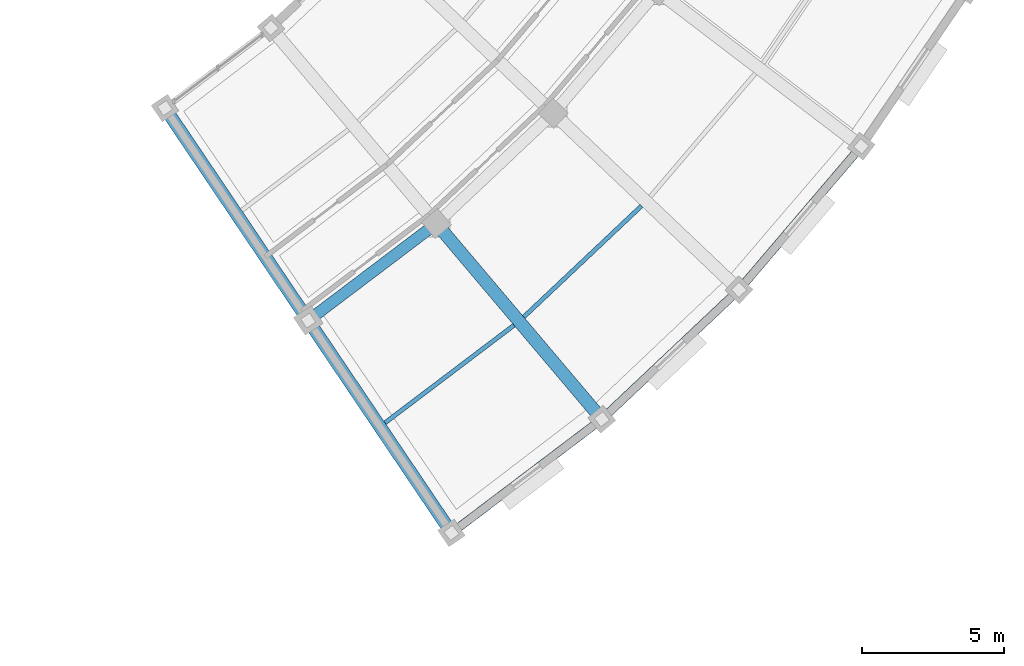
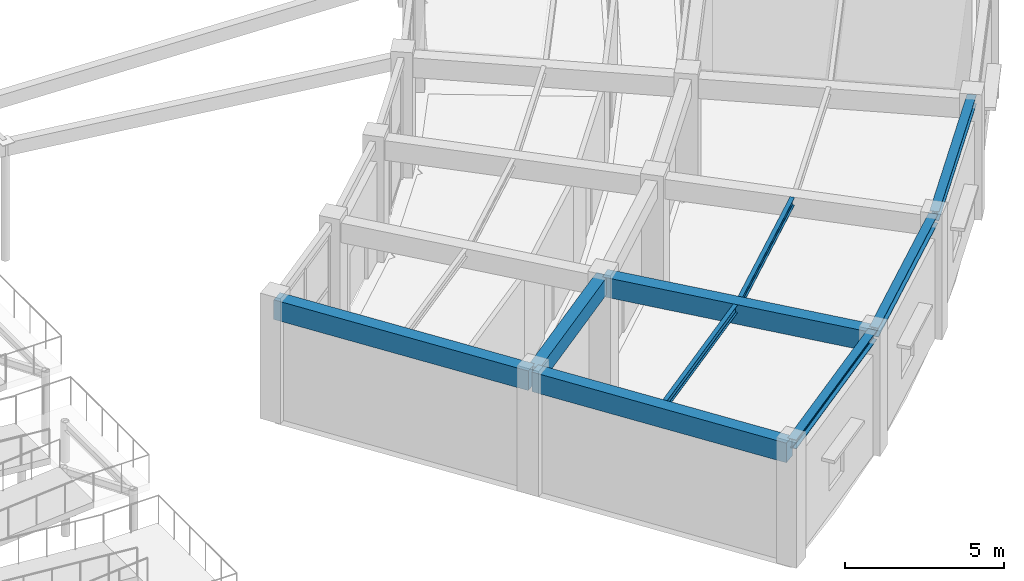
# One storey, part 59 of 108: 9 beams.
"""IFC4 building model written with IfcOpenShell, lengths in metres."""

from ifc_helpers import new_model, si_unit, direction, frame, origin, origin_2d, place, context, subcontext, project, spatial, rectangle, i_section, extrude, material, material_profile, profile_set, type_object, element, save


model = new_model("IFC4")

# Units and contexts
model_context = context("Model", 3, precision=1e-05, world=origin(), true_north=direction((0.0, 1.0)))
body_context = subcontext(model_context, "Body", "Model", "MODEL_VIEW")
ifc_project = project(units=[si_unit("LENGTHUNIT", "METRE"), si_unit("AREAUNIT", "SQUARE_METRE"), si_unit("VOLUMEUNIT", "CUBIC_METRE"), si_unit("PLANEANGLEUNIT", "RADIAN"), si_unit("MASSUNIT", "GRAM", prefix="KILO")], contexts=[model_context])

# Site, building, storey
site_placement = place(None, origin())
site = spatial("IfcSite", under=ifc_project, at=site_placement, CompositionType="ELEMENT")
building_placement = place(site_placement, origin())
building = spatial("IfcBuilding", under=site, at=building_placement, Name="Tarnveldt Headland Concert Hall", CompositionType="ELEMENT")
storey_placement = place(building_placement, origin())
storey = spatial("IfcBuildingStorey", under=building, at=storey_placement, Name="L00", CompositionType="ELEMENT", Elevation=0.0)

# Beams
ifc_material_1 = material(Name="Concrete C40/50", Category="concrete")
ifc_material_profile_1 = material_profile(ifc_material_1, rectangle(XDim=0.39990234375, YDim=0.64990234375, at=origin_2d()), Name="RC 400x650", Category="concrete")
ifc_profile_set_1 = profile_set([ifc_material_profile_1], Name="Concrete C40/50")
beam_type_1 = type_object("IfcBeamType", Name="CB-400x650", PredefinedType="BEAM", material=ifc_profile_set_1)
beam_1_placement = place(storey_placement, frame((146.625732421875, 16.92626953125, 4.264892578125), z_axis=(0.79747936857, 0.603346216285, 0.0), x_axis=(-0.603346216285, 0.79747936857, 0.0)))
element("IfcBeam", 1, at=beam_1_placement, inside=storey, type_object=beam_type_1, Name="Framing beam L00-427", PredefinedType="BEAM", context=body_context, shape_type="SweptSolid", body=[
    extrude(rectangle(XDim=0.39990234375, YDim=0.64990234375, at=origin_2d()), origin(), (0.0, 0.0, 1.0), 5.524658203125),
])
ifc_material_profile_2 = material_profile(ifc_material_1, rectangle(XDim=0.449951171875, YDim=0.75, at=origin_2d()), Name="RC 450x750", Category="concrete")
ifc_profile_set_2 = profile_set([ifc_material_profile_2], Name="Concrete C40/50")
beam_type_2 = type_object("IfcBeamType", Name="CB-450x750", PredefinedType="BEAM", material=ifc_profile_set_2)
beam_2_placement = place(storey_placement, frame((141.578857421875, 24.3017578125, 4.215087890625), z_axis=(0.559177704886, -0.829047823927, 0.0), x_axis=(0.829047823927, 0.559177704886, 0.0)))
element("IfcBeam", 2, at=beam_2_placement, inside=storey, type_object=beam_type_2, Name="Framing beam L00-424", PredefinedType="BEAM", context=body_context, shape_type="SweptSolid", body=[
    extrude(rectangle(XDim=0.449951171875, YDim=0.75, at=origin_2d()), origin(), (0.0, 0.0, 1.0), 8.880126953125),
])
beam_3_placement = place(storey_placement, frame((146.611572265625, 16.84033203125, 4.215087890625), z_axis=(0.5591904504, -0.829039227167, 0.0), x_axis=(0.829039227167, 0.5591904504, 0.0)))
element("IfcBeam", 3, at=beam_3_placement, inside=storey, type_object=beam_type_2, Name="Framing beam L00-425", PredefinedType="BEAM", context=body_context, shape_type="SweptSolid", body=[
    extrude(rectangle(XDim=0.449951171875, YDim=0.75, at=origin_2d()), origin(), (0.0, 0.0, 1.0), 8.8798828125),
])
beam_4_placement = place(storey_placement, frame((151.117919921875, 20.249755859375, 4.215087890625), z_axis=(0.645759819996, -0.763540604604, 0.0), x_axis=(0.763540604604, 0.645759819996, 0.0)))
element("IfcBeam", 4, at=beam_4_placement, inside=storey, type_object=beam_type_2, Name="Framing beam L00-432", PredefinedType="BEAM", context=body_context, shape_type="SweptSolid", body=[
    extrude(rectangle(XDim=0.449951171875, YDim=0.75, at=origin_2d()), origin(), (0.0, 0.0, 1.0), 8.880126953125),
])
ifc_material_2 = material(Name="Steel S355", Category="steel")
ifc_material_profile_3 = material_profile(ifc_material_2, i_section(OverallWidth=0.300048828125, OverallDepth=0.35009765625, WebThickness=0.010009765625, FlangeThickness=0.017578125, FilletRadius=0.027099609375, at=origin_2d()), Name="HEA360", Category="steel")
ifc_profile_set_3 = profile_set([ifc_material_profile_3], Name="Steel S355")
beam_type_3 = type_object("IfcBeamType", Name="SB-HEA360", PredefinedType="SPANDREL", material=ifc_profile_set_3)
beam_5_placement = place(storey_placement, frame((151.65869140625, 9.46484375, 4.4150390625), z_axis=(0.797469381904, 0.603359416041, 0.0), x_axis=(-0.603359416041, 0.797469381904, 0.0)))
element("IfcBeam", 5, at=beam_5_placement, inside=storey, type_object=beam_type_3, Name="Framing beam L00-428", PredefinedType="SPANDREL", context=body_context, shape_type="SweptSolid", body=[
    extrude(i_section(OverallWidth=0.300048828125, OverallDepth=0.35009765625, WebThickness=0.010009765625, FlangeThickness=0.017578125, FilletRadius=0.027099609375, at=origin_2d()), origin(), (0.0, 0.0, 1.0), 6.501220703125),
])
beam_6_placement = place(storey_placement, frame((156.9345703125, 13.46484375, 4.4150390625), z_axis=(0.727385871825, 0.686228674328, 0.0), x_axis=(-0.686228674328, 0.727385871825, 0.0)))
element("IfcBeam", 6, at=beam_6_placement, inside=storey, type_object=beam_type_3, Name="Framing beam L00-435", PredefinedType="SPANDREL", context=body_context, shape_type="SweptSolid", body=[
    extrude(i_section(OverallWidth=0.300048828125, OverallDepth=0.35009765625, WebThickness=0.010009765625, FlangeThickness=0.017578125, FilletRadius=0.027099609375, at=origin_2d()), origin(), (0.0, 0.0, 1.0), 6.50146484375),
])
beam_7_placement = place(storey_placement, frame((161.74609375, 18.01318359375, 4.4150390625), z_axis=(0.648710643709, 0.761035150791, 0.0), x_axis=(-0.761035150791, 0.648710643709, 0.0)))
element("IfcBeam", 7, at=beam_7_placement, inside=storey, type_object=beam_type_3, Name="Framing beam L00-442", PredefinedType="SPANDREL", context=body_context, shape_type="SweptSolid", body=[
    extrude(i_section(OverallWidth=0.300048828125, OverallDepth=0.35009765625, WebThickness=0.010009765625, FlangeThickness=0.017578125, FilletRadius=0.027099609375, at=origin_2d()), origin(), (0.0, 0.0, 1.0), 6.5009765625),
])
ifc_material_profile_4 = material_profile(ifc_material_2, i_section(OverallWidth=0.14990234375, OverallDepth=0.300048828125, WebThickness=0.007080078125, FlangeThickness=0.0107421875, FilletRadius=0.014892578125, at=origin_2d()), Name="IPE300", Category="steel")
ifc_profile_set_4 = profile_set([ifc_material_profile_4], Name="Steel S355")
beam_type_4 = type_object("IfcBeamType", Name="SB-IPE300", PredefinedType="JOIST", material=ifc_profile_set_4)
for number, where, z_axis, x_axis, name in (
    (8, (149.273681640625, 13.295166015625, 4.43994140625), (0.797482363925, 0.603342257122, 0.0), (-0.603342257122, 0.797482363925, 0.0), "Framing beam L00-430"),
    (9, (154.148681640625, 17.01416015625, 4.43994140625), (0.727385964821, 0.686228575754, 0.0), (-0.686228575754, 0.727385964821, 0.0), "Framing beam L00-437"),
):
    element("IfcBeam", number, at=place(storey_placement, frame(where, z_axis=z_axis, x_axis=x_axis)), inside=storey, type_object=beam_type_4, Name=name, PredefinedType="JOIST", context=body_context, shape_type="SweptSolid", body=[
        extrude(i_section(OverallWidth=0.14990234375, OverallDepth=0.300048828125, WebThickness=0.007080078125, FlangeThickness=0.0107421875, FilletRadius=0.014892578125, at=origin_2d()), origin(), (0.0, 0.0, 1.0), 5.682861328125),
    ])

save(model, "model.ifc")
